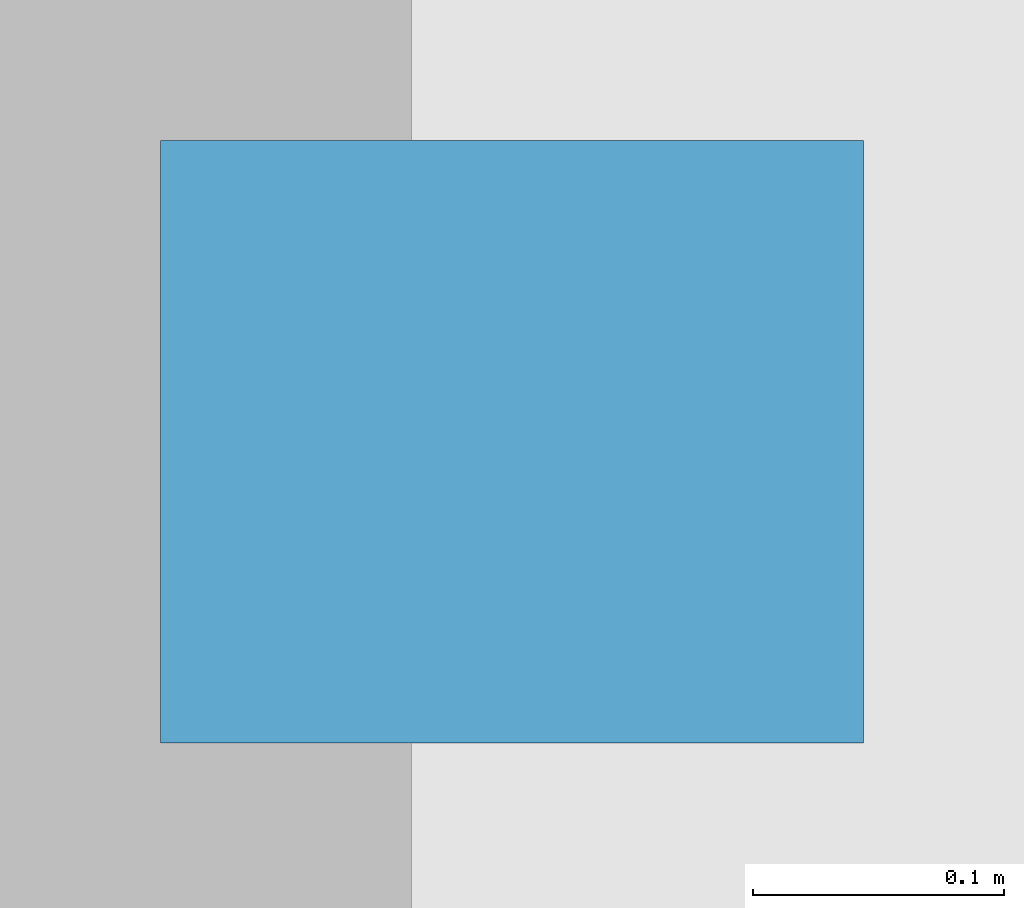
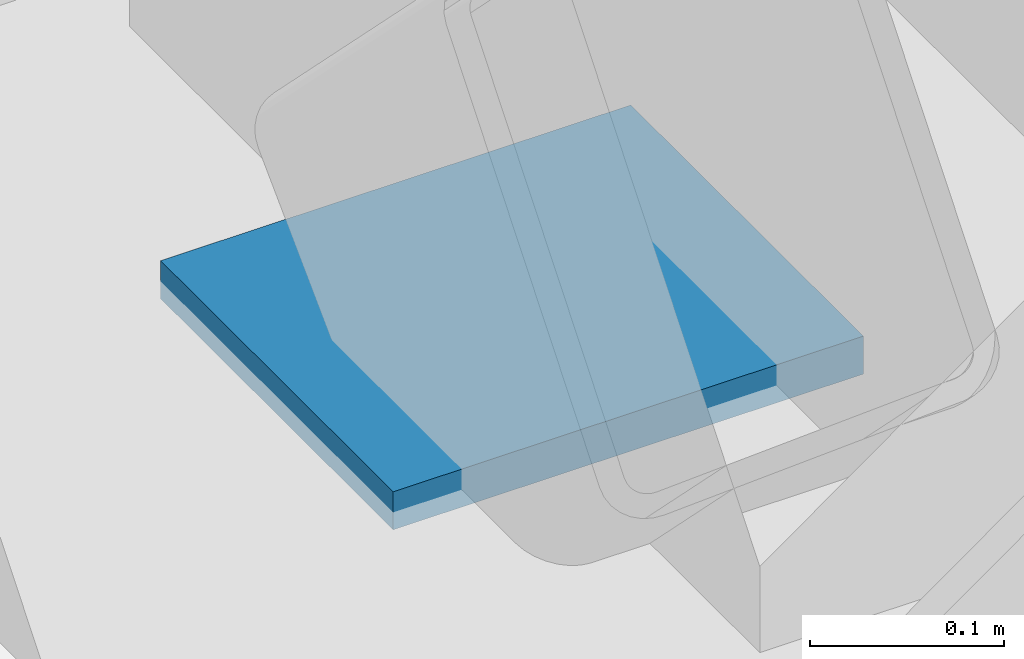
# One storey, part 103 of 122: 1 discrete accessory.
"""IFC4 building model written with IfcOpenShell, lengths in metres."""

from ifc_helpers import new_model, si_unit, direction, frame, origin, origin_2d, place, context, subcontext, project, spatial, rectangle, extrude, material, type_object, element, save


model = new_model("IFC4")

# Units and contexts
model_context = context("Model", 3, precision=1e-05, world=origin(), true_north=direction((0.0, 1.0)))
body_context = subcontext(model_context, "Body", "Model", "MODEL_VIEW")
ifc_project = project(units=[si_unit("LENGTHUNIT", "METRE"), si_unit("AREAUNIT", "SQUARE_METRE"), si_unit("VOLUMEUNIT", "CUBIC_METRE"), si_unit("PLANEANGLEUNIT", "RADIAN"), si_unit("MASSUNIT", "GRAM", prefix="KILO")], contexts=[model_context])

# Site, building, storey
site_placement = place(None, origin())
site = spatial("IfcSite", under=ifc_project, at=site_placement, CompositionType="ELEMENT")
building_placement = place(site_placement, origin())
building = spatial("IfcBuilding", under=site, at=building_placement, Name="Qasida Concert Hall", CompositionType="ELEMENT")
storey_placement = place(building_placement, origin())
storey = spatial("IfcBuildingStorey", under=building, at=storey_placement, Name="L00", CompositionType="ELEMENT", Elevation=0.0)

# Discrete accessory
ifc_material = material(Name="Steel S355J2", Category="steel")
discrete_accessory_type = type_object("IfcDiscreteAccessoryType", Name="ACC-CONN-S355", PredefinedType="BRACKET", material=ifc_material)
discrete_accessory_placement = place(storey_placement, frame((165.0, 90.0, -0.011962890625), z_axis=(0.0, 0.0, 1.0), x_axis=(1.0, 0.0, 0.0)))
element("IfcDiscreteAccessory", 1, at=discrete_accessory_placement, inside=storey, type_object=discrete_accessory_type, Name="Steel brace/strut end connection CN-0229", PredefinedType="BRACKET", context=body_context, shape_type="SweptSolid", body=[
    extrude(rectangle(XDim=0.280029296875, YDim=0.239990234375, at=origin_2d()), origin(), (0.0, 0.0, 1.0), 0.02392578125),
])

save(model, "model.ifc")
